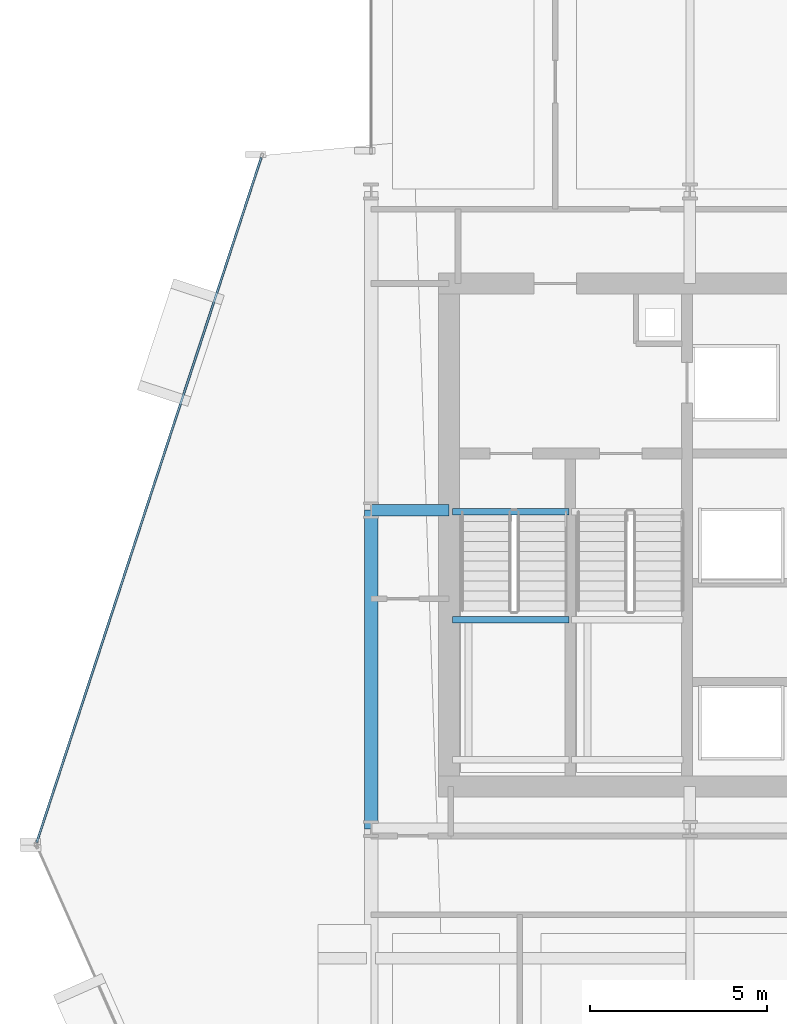
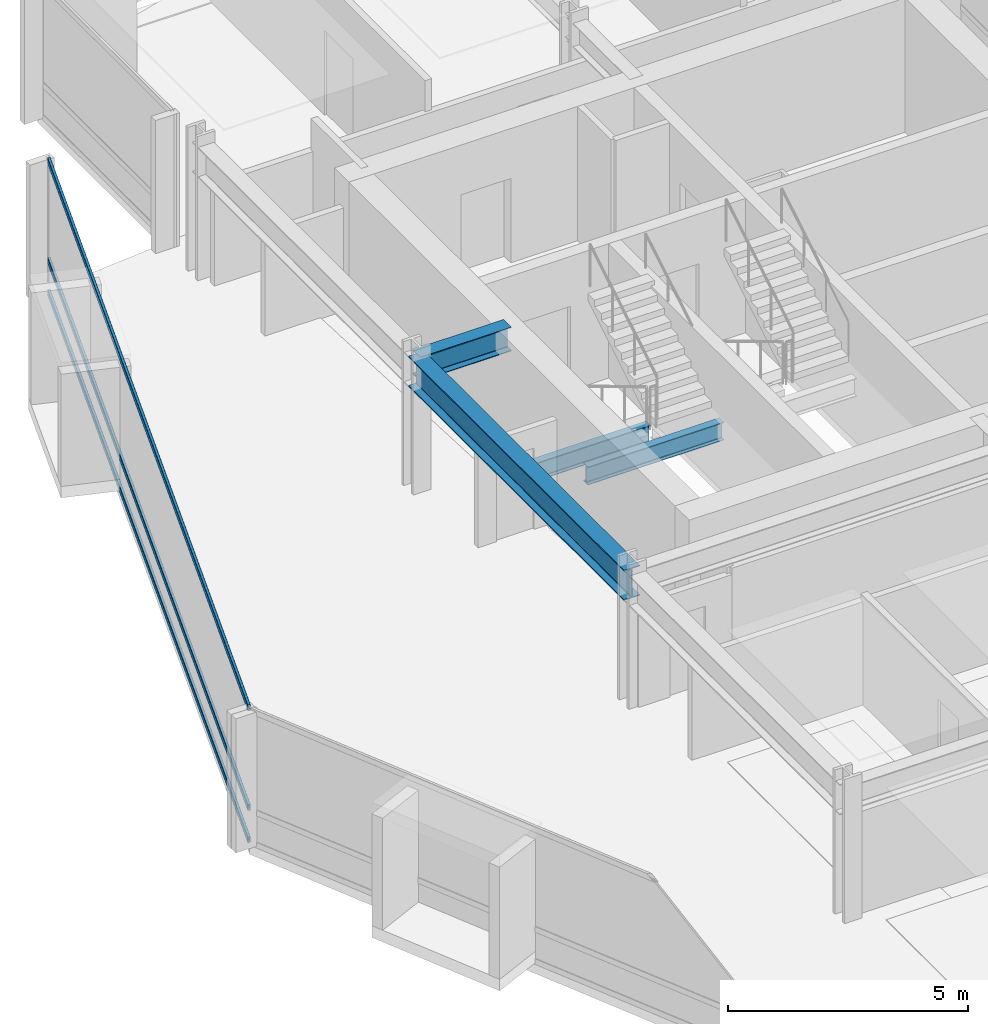
# One storey, part 18 of 34: 4 beams, 3 members, 1 element without a shape of its own.
"""IFC4 building model written with IfcOpenShell, lengths in metres."""

from ifc_helpers import new_model, si_unit, direction, frame, origin, origin_2d, place, context, subcontext, project, spatial, hollow_rectangle, i_section, extrude, material, layer, layer_set, material_profile, profile_set, type_object, element, aggregate, save


model = new_model("IFC4")

# Units and contexts
model_context = context("Model", 3, precision=1e-05, world=origin(), true_north=direction((0.0, 1.0)))
body_context = subcontext(model_context, "Body", "Model", "MODEL_VIEW")
ifc_project = project(units=[si_unit("LENGTHUNIT", "METRE"), si_unit("AREAUNIT", "SQUARE_METRE"), si_unit("VOLUMEUNIT", "CUBIC_METRE"), si_unit("PLANEANGLEUNIT", "RADIAN"), si_unit("MASSUNIT", "GRAM", prefix="KILO")], contexts=[model_context])

# Site, building, storey
site_placement = place(None, origin())
site = spatial("IfcSite", under=ifc_project, at=site_placement, CompositionType="ELEMENT")
building_placement = place(site_placement, origin())
building = spatial("IfcBuilding", under=site, at=building_placement, Name="Solvaryn Broadcast Tower", CompositionType="ELEMENT")
storey_placement = place(building_placement, frame((0.0, 0.0, 73.0)))
storey = spatial("IfcBuildingStorey", under=building, at=storey_placement, Name="L17", CompositionType="ELEMENT", Elevation=73.0)

# Beams
ifc_material_1 = material(Name="Steel ASTM A992 Grade 50", Category="steel")
ifc_material_profile_1 = material_profile(ifc_material_1, i_section(OverallWidth=0.323974609375, OverallDepth=0.611083984375, WebThickness=0.0126953125, FlangeThickness=0.01904296875, FilletRadius=0.014892578125, at=origin_2d()))
ifc_profile_set_1 = profile_set([ifc_material_profile_1], Name="Steel ASTM A992 Grade 50")
beam_type_1 = type_object("IfcBeamType", Name="BM-B1-W24X104", PredefinedType="BEAM", material=ifc_profile_set_1)
beam_1_placement = place(storey_placement, frame((9.0, 36.0, 3.114501953125), z_axis=(1.0, 0.0, 0.0), x_axis=(0.0, 1.0, 0.0)))
element("IfcBeam", 1, at=beam_1_placement, inside=storey, type_object=beam_type_1, Name="L17 Core Tie Beam CTW1", PredefinedType="BEAM", context=body_context, shape_type="SweptSolid", body=[
    extrude(i_section(OverallWidth=0.323974609375, OverallDepth=0.611083984375, WebThickness=0.0126953125, FlangeThickness=0.01904296875, FilletRadius=0.014892578125, at=origin_2d()), origin(), (0.0, 0.0, 1.0), 2.199951171875),
])
ifc_material_2 = material(Name="Steel ASTM A992 Grade 50", Category="steel")
ifc_material_profile_2 = material_profile(ifc_material_2, i_section(OverallWidth=0.18994140625, OverallDepth=0.45703125, WebThickness=0.009033203125, FlangeThickness=0.014404296875, FilletRadius=0.011962890625, at=origin_2d()))
ifc_profile_set_2 = profile_set([ifc_material_profile_2], Name="Steel ASTM A992 Grade 50")
beam_type_2 = type_object("IfcBeamType", Name="BM-B4-W18X50", PredefinedType="BEAM", material=ifc_profile_set_2)
for number, where, z_axis, x_axis, name in (
    (2, (11.300048828125, 35.9599609375, -0.508544921875), (1.0, 0.0, 0.0), (0.0, 1.0, 0.0), "L17 ST1 Stair Well Trimmer Beam"),
    (3, (11.300048828125, 32.909912109375, 1.42138671875), (1.0, 0.0, 0.0), (0.0, 1.0, 0.0), "L17 ST1 Landing Support Beam 1B"),
):
    element("IfcBeam", number, at=place(storey_placement, frame(where, z_axis=z_axis, x_axis=x_axis)), inside=storey, type_object=beam_type_2, Name=name, PredefinedType="BEAM", context=body_context, shape_type="SweptSolid", body=[
        extrude(i_section(OverallWidth=0.18994140625, OverallDepth=0.45703125, WebThickness=0.009033203125, FlangeThickness=0.014404296875, FilletRadius=0.011962890625, at=origin_2d()), origin(), (0.0, 0.0, 1.0), 3.280029296875),
    ])
ifc_material_3 = material(Name="Steel ASTM A992 Grade 50", Category="steel")
ifc_material_profile_3 = material_profile(ifc_material_3, i_section(OverallWidth=0.381103515625, OverallDepth=0.77294921875, WebThickness=0.0166015625, FlangeThickness=0.027099609375, FilletRadius=0.01806640625, at=origin_2d()))
ifc_profile_set_3 = profile_set([ifc_material_profile_3], Name="Steel ASTM A992 Grade 50")
beam_type_3 = type_object("IfcBeamType", Name="BM-SP1-W30X173", PredefinedType="USERDEFINED", material=ifc_profile_set_3)
beam_2_placement = place(storey_placement, frame((9.0, 27.0, 3.033447265625), z_axis=(0.0, 1.0, 0.0), x_axis=(-1.0, 0.0, 0.0)))
element("IfcBeam", 4, at=beam_2_placement, inside=storey, type_object=beam_type_3, Name="L17 Spandrel Beam Y (27-36 @ X=9)", ObjectType="SPANDREL", PredefinedType="USERDEFINED", context=body_context, shape_type="SweptSolid", body=[
    extrude(i_section(OverallWidth=0.381103515625, OverallDepth=0.77294921875, WebThickness=0.0166015625, FlangeThickness=0.027099609375, FilletRadius=0.01806640625, at=origin_2d()), origin(), (0.0, 0.0, 1.0), 9.0),
])

# Curtain wall, members
ifc_material_4 = material(Name="Aluminium and Terracotta Unitised Curtain Wall", Category="masonry")
ifc_layer = layer(ifc_material_4, 0.199951171875)
ifc_layer_set = layer_set([ifc_layer], Name="CW-SYS2-LOWMID")
curtain_wall_type = type_object("IfcCurtainWallType", Name="CW-SYS2-LOWMID", PredefinedType="NOTDEFINED", material=ifc_layer_set)
curtain_wall_placement = place(storey_placement, origin())
curtain_wall = element("IfcCurtainWall", 5, at=curtain_wall_placement, inside=storey, type_object=curtain_wall_type, Name="L17 Curtain Wall DR1", PredefinedType="NOTDEFINED")
ifc_material_5 = material(Name="Anodised Aluminium 6063-T6", Category="aluminium")
ifc_material_profile_4 = material_profile(ifc_material_5, hollow_rectangle(XDim=0.06494140625, YDim=0.14990234375, WallThickness=0.00390625, InnerFilletRadius=0.00390625, OuterFilletRadius=0.008056640625, at=origin_2d()))
ifc_profile_set_4 = profile_set([ifc_material_profile_4], Name="Anodised Aluminium 6063-T6")
member_type = type_object("IfcMemberType", Name="CW-TRN-150", PredefinedType="USERDEFINED", material=ifc_profile_set_4)
member_1_placement = place(storey_placement, frame((5.897216796875, 45.958984375, 0.030029296875), z_axis=(-0.311589549406, -0.950216792475, 0.0), x_axis=(0.950216792475, -0.311589549406, 0.0)))
member_1 = element("IfcMember", 6, at=member_1_placement, type_object=member_type, Name="CWS2 transom 1.1", ObjectType="TRANSOM", PredefinedType="USERDEFINED", context=body_context, shape_type="SweptSolid", body=[
    extrude(hollow_rectangle(XDim=0.06494140625, YDim=0.14990234375, WallThickness=0.00390625, InnerFilletRadius=0.00390625, OuterFilletRadius=0.008056640625, at=origin_2d()), origin(), (0.0, 0.0, 1.0), 20.35546875),
])
member_2_placement = place(storey_placement, frame((5.897216796875, 45.958984375, 0.85009765625), z_axis=(-0.311589549406, -0.950216792475, 0.0), x_axis=(0.950216792475, -0.311589549406, 0.0)))
member_2 = element("IfcMember", 7, at=member_2_placement, type_object=member_type, Name="CWS2 transom 1.2", ObjectType="TRANSOM", PredefinedType="USERDEFINED", context=body_context, shape_type="SweptSolid", body=[
    extrude(hollow_rectangle(XDim=0.06494140625, YDim=0.14990234375, WallThickness=0.00390625, InnerFilletRadius=0.00390625, OuterFilletRadius=0.008056640625, at=origin_2d()), origin(), (0.0, 0.0, 1.0), 20.35546875),
])
member_3_placement = place(storey_placement, frame((5.897216796875, 45.958984375, 3.389892578125), z_axis=(-0.311589549406, -0.950216792475, 0.0), x_axis=(0.950216792475, -0.311589549406, 0.0)))
member_3 = element("IfcMember", 8, at=member_3_placement, type_object=member_type, Name="CWS2 transom 1.3", ObjectType="TRANSOM", PredefinedType="USERDEFINED", context=body_context, shape_type="SweptSolid", body=[
    extrude(hollow_rectangle(XDim=0.06494140625, YDim=0.14990234375, WallThickness=0.00390625, InnerFilletRadius=0.00390625, OuterFilletRadius=0.008056640625, at=origin_2d()), origin(), (0.0, 0.0, 1.0), 20.35546875),
])
aggregate(curtain_wall, [member_1, member_2, member_3])

save(model, "model.ifc")
